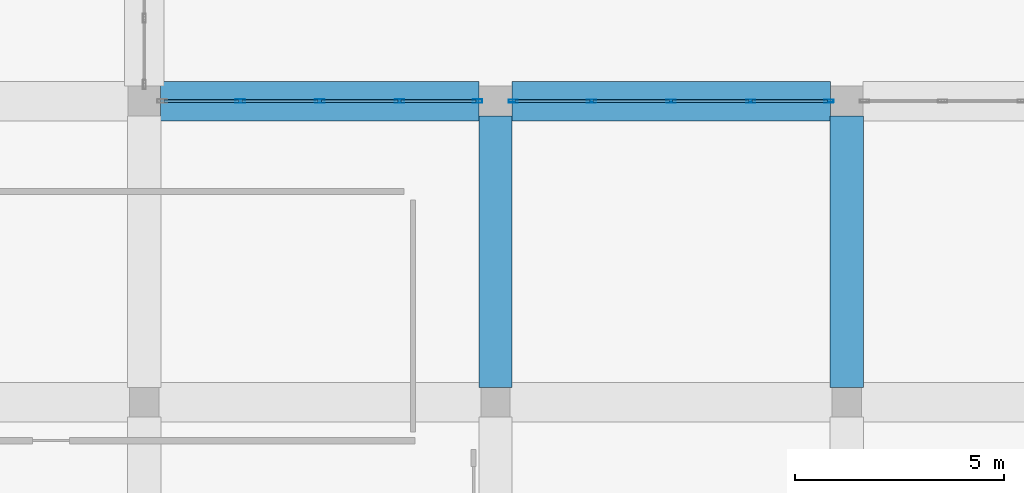
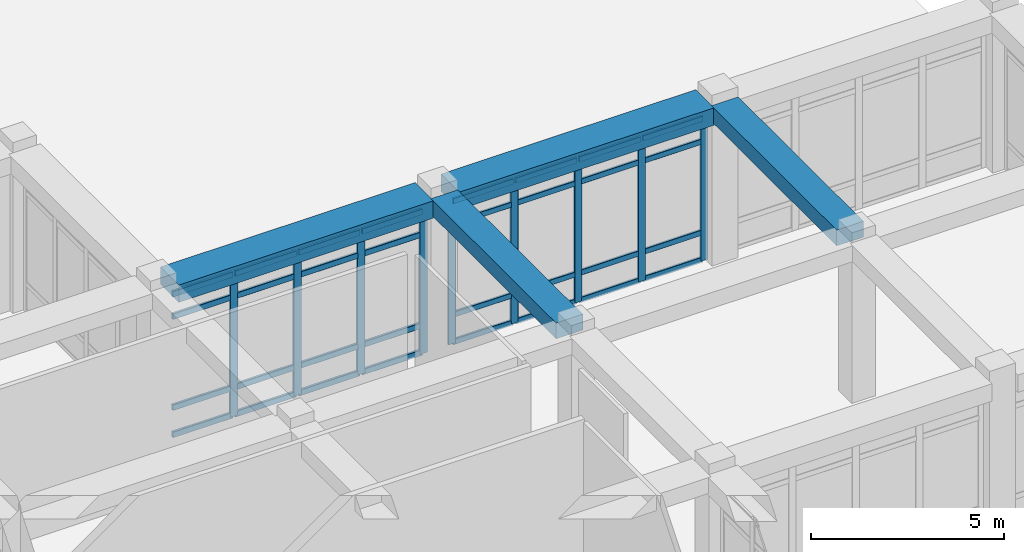
# One storey, part 48 of 84: 41 members, 4 beams, 2 elements without a shape of their own.
"""IFC4 building model written with IfcOpenShell, lengths in metres."""

from ifc_helpers import new_model, si_unit, derived_unit, direction, frame, origin, origin_2d, place, context, subcontext, project, spatial, rectangle, hollow_rectangle, extrude, material, material_profile, profile_set, type_object, element, aggregate, save


model = new_model("IFC4")

# Units and contexts
model_context = context("Model", 3, precision=1e-05, world=origin(), true_north=direction((0.0, 1.0)))
body_context = subcontext(model_context, "Body", "Model", "MODEL_VIEW")
ifc_project = project(units=[si_unit("LENGTHUNIT", "METRE"), si_unit("AREAUNIT", "SQUARE_METRE"), si_unit("VOLUMEUNIT", "CUBIC_METRE"), si_unit("PLANEANGLEUNIT", "RADIAN"), si_unit("MASSUNIT", "GRAM", prefix="KILO"), derived_unit("THERMALTRANSMITTANCEUNIT", [(si_unit("POWERUNIT", "WATT"), 1), (si_unit("LENGTHUNIT", "METRE"), -2), (si_unit("THERMODYNAMICTEMPERATUREUNIT", "KELVIN"), -1)])], contexts=[model_context])

# Site, building, storey
site_placement = place(None, origin())
site = spatial("IfcSite", under=ifc_project, at=site_placement, CompositionType="ELEMENT")
building_placement = place(site_placement, origin())
building = spatial("IfcBuilding", under=site, at=building_placement, Name="Veybourne Emporium", CompositionType="ELEMENT")
storey_placement = place(building_placement, origin())
storey = spatial("IfcBuildingStorey", under=building, at=storey_placement, Name="L00", CompositionType="ELEMENT", Elevation=0.0)

# Curtain wall, members
ifc_material_1 = material(Name="Patinated Architectural Bronze", Category="bronze")
curtain_wall_type_1 = type_object("IfcCurtainWallType", Name="CWSystem_CWS-21", PredefinedType="NOTDEFINED", material=ifc_material_1)
curtain_wall_1_placement = place(storey_placement, origin())
curtain_wall_1 = element("IfcCurtainWall", 1, at=curtain_wall_1_placement, inside=storey, type_object=curtain_wall_type_1, Name="L00 bronze glazed curtain wall CWS-21 (074)", PredefinedType="NOTDEFINED")
ifc_material_profile_1 = material_profile(ifc_material_1, hollow_rectangle(XDim=0.072021484375, YDim=0.22509765625, WallThickness=0.0048828125, InnerFilletRadius=0.007568359375, OuterFilletRadius=0.012451171875, at=origin_2d()), Name="CWM 72x225x5")
ifc_profile_set_1 = profile_set([ifc_material_profile_1], Name="Patinated Architectural Bronze")
member_type_1 = type_object("IfcMemberType", Name="CWMullion_CW-M1", PredefinedType="MULLION", material=ifc_profile_set_1)
member_1_placement = place(storey_placement, frame((151.6259765625, 21.60009765625, 0.0), z_axis=(0.0, 0.0, 1.0), x_axis=(0.0, 1.0, 0.0)))
member_1 = element("IfcMember", 2, at=member_1_placement, type_object=member_type_1, Name="CWS-21 mullion 1", PredefinedType="MULLION", context=body_context, shape_type="SweptSolid", body=[
    extrude(hollow_rectangle(XDim=0.072021484375, YDim=0.22509765625, WallThickness=0.0048828125, InnerFilletRadius=0.007568359375, OuterFilletRadius=0.012451171875, at=origin_2d()), origin(), (0.0, 0.0, 1.0), 4.530029296875),
])
member_2_placement = place(storey_placement, frame((153.4951171875, 21.60009765625, 0.0), z_axis=(0.0, 0.0, 1.0), x_axis=(0.0, 1.0, 0.0)))
member_2 = element("IfcMember", 3, at=member_2_placement, type_object=member_type_1, Name="CWS-21 mullion 2", PredefinedType="MULLION", context=body_context, shape_type="SweptSolid", body=[
    extrude(hollow_rectangle(XDim=0.072021484375, YDim=0.22509765625, WallThickness=0.0048828125, InnerFilletRadius=0.007568359375, OuterFilletRadius=0.012451171875, at=origin_2d()), origin(), (0.0, 0.0, 1.0), 4.530029296875),
])
member_3_placement = place(storey_placement, frame((155.39990234375, 21.60009765625, 0.0), z_axis=(0.0, 0.0, 1.0), x_axis=(0.0, 1.0, 0.0)))
member_3 = element("IfcMember", 4, at=member_3_placement, type_object=member_type_1, Name="CWS-21 mullion 3", PredefinedType="MULLION", context=body_context, shape_type="SweptSolid", body=[
    extrude(hollow_rectangle(XDim=0.072021484375, YDim=0.22509765625, WallThickness=0.0048828125, InnerFilletRadius=0.007568359375, OuterFilletRadius=0.012451171875, at=origin_2d()), origin(), (0.0, 0.0, 1.0), 4.530029296875),
])
member_4_placement = place(storey_placement, frame((157.304931640625, 21.60009765625, 0.0), z_axis=(0.0, 0.0, 1.0), x_axis=(0.0, 1.0, 0.0)))
member_4 = element("IfcMember", 5, at=member_4_placement, type_object=member_type_1, Name="CWS-21 mullion 4", PredefinedType="MULLION", context=body_context, shape_type="SweptSolid", body=[
    extrude(hollow_rectangle(XDim=0.072021484375, YDim=0.22509765625, WallThickness=0.0048828125, InnerFilletRadius=0.007568359375, OuterFilletRadius=0.012451171875, at=origin_2d()), origin(), (0.0, 0.0, 1.0), 4.530029296875),
])
member_5_placement = place(storey_placement, frame((159.174072265625, 21.60009765625, 0.0), z_axis=(0.0, 0.0, 1.0), x_axis=(0.0, 1.0, 0.0)))
member_5 = element("IfcMember", 6, at=member_5_placement, type_object=member_type_1, Name="CWS-21 mullion 5", PredefinedType="MULLION", context=body_context, shape_type="SweptSolid", body=[
    extrude(hollow_rectangle(XDim=0.072021484375, YDim=0.22509765625, WallThickness=0.0048828125, InnerFilletRadius=0.007568359375, OuterFilletRadius=0.012451171875, at=origin_2d()), origin(), (0.0, 0.0, 1.0), 4.530029296875),
])

curtain_wall_type_2 = type_object("IfcCurtainWallType", Name="CWSystem_CWS-19", PredefinedType="NOTDEFINED", material=ifc_material_1)
curtain_wall_2_placement = place(storey_placement, origin())
curtain_wall_2 = element("IfcCurtainWall", 7, at=curtain_wall_2_placement, inside=storey, type_object=curtain_wall_type_2, Name="L00 bronze glazed curtain wall CWS-19 (072)", PredefinedType="NOTDEFINED")
ifc_material_profile_2 = material_profile(ifc_material_1, hollow_rectangle(XDim=0.077880859375, YDim=0.235107421875, WallThickness=0.0048828125, InnerFilletRadius=0.007568359375, OuterFilletRadius=0.012451171875, at=origin_2d()), Name="CWM 78x235x5")
ifc_profile_set_2 = profile_set([ifc_material_profile_2], Name="Patinated Architectural Bronze")
member_type_2 = type_object("IfcMemberType", Name="CWMullion_CW-M3", PredefinedType="MULLION", material=ifc_profile_set_2)
member_6_placement = place(storey_placement, frame((145.094970703125, 21.60009765625, 0.0), z_axis=(0.0, 0.0, 1.0), x_axis=(0.0, 1.0, 0.0)))
member_6 = element("IfcMember", 8, at=member_6_placement, type_object=member_type_2, Name="CWS-19 mullion 2", PredefinedType="MULLION", context=body_context, shape_type="SweptSolid", body=[
    extrude(hollow_rectangle(XDim=0.077880859375, YDim=0.235107421875, WallThickness=0.0048828125, InnerFilletRadius=0.007568359375, OuterFilletRadius=0.012451171875, at=origin_2d()), origin(), (0.0, 0.0, 1.0), 4.530029296875),
])
member_7_placement = place(storey_placement, frame((147.0, 21.60009765625, 0.0), z_axis=(0.0, 0.0, 1.0), x_axis=(0.0, 1.0, 0.0)))
member_7 = element("IfcMember", 9, at=member_7_placement, type_object=member_type_2, Name="CWS-19 mullion 3", PredefinedType="MULLION", context=body_context, shape_type="SweptSolid", body=[
    extrude(hollow_rectangle(XDim=0.077880859375, YDim=0.235107421875, WallThickness=0.0048828125, InnerFilletRadius=0.007568359375, OuterFilletRadius=0.012451171875, at=origin_2d()), origin(), (0.0, 0.0, 1.0), 4.530029296875),
])
member_8_placement = place(storey_placement, frame((148.905029296875, 21.60009765625, 0.0), z_axis=(0.0, 0.0, 1.0), x_axis=(0.0, 1.0, 0.0)))
member_8 = element("IfcMember", 10, at=member_8_placement, type_object=member_type_2, Name="CWS-19 mullion 4", PredefinedType="MULLION", context=body_context, shape_type="SweptSolid", body=[
    extrude(hollow_rectangle(XDim=0.077880859375, YDim=0.235107421875, WallThickness=0.0048828125, InnerFilletRadius=0.007568359375, OuterFilletRadius=0.012451171875, at=origin_2d()), origin(), (0.0, 0.0, 1.0), 4.530029296875),
])
member_9_placement = place(storey_placement, frame((150.77099609375, 21.60009765625, 0.0), z_axis=(0.0, 0.0, 1.0), x_axis=(0.0, 1.0, 0.0)))
member_9 = element("IfcMember", 11, at=member_9_placement, type_object=member_type_2, Name="CWS-19 mullion 5", PredefinedType="MULLION", context=body_context, shape_type="SweptSolid", body=[
    extrude(hollow_rectangle(XDim=0.077880859375, YDim=0.235107421875, WallThickness=0.0048828125, InnerFilletRadius=0.007568359375, OuterFilletRadius=0.012451171875, at=origin_2d()), origin(), (0.0, 0.0, 1.0), 4.530029296875),
])

# Member
ifc_material_profile_3 = material_profile(ifc_material_1, hollow_rectangle(XDim=0.072021484375, YDim=0.175048828125, WallThickness=0.0048828125, InnerFilletRadius=0.007568359375, OuterFilletRadius=0.012451171875, at=origin_2d()), Name="CWT 72x175x5")
ifc_profile_set_3 = profile_set([ifc_material_profile_3], Name="Patinated Architectural Bronze")
member_type_3 = type_object("IfcMemberType", Name="CWTransom_CW-T1", PredefinedType="NOTDEFINED", material=ifc_profile_set_3)
member_10_placement = place(storey_placement, frame((151.662109375, 21.60009765625, 0.035888671875), z_axis=(1.0, 0.0, 0.0), x_axis=(0.0, 1.0, 0.0)))
member_10 = element("IfcMember", 12, at=member_10_placement, type_object=member_type_3, Name="CWS-21 transom 1.1", ObjectType="TRANSOM", PredefinedType="USERDEFINED", context=body_context, shape_type="SweptSolid", body=[
    extrude(hollow_rectangle(XDim=0.072021484375, YDim=0.175048828125, WallThickness=0.0048828125, InnerFilletRadius=0.007568359375, OuterFilletRadius=0.012451171875, at=origin_2d()), origin(), (0.0, 0.0, 1.0), 1.796875),
])

member_11_placement = place(storey_placement, frame((151.662109375, 21.60009765625, 0.89990234375), z_axis=(1.0, 0.0, 0.0), x_axis=(0.0, 1.0, 0.0)))
member_11 = element("IfcMember", 13, at=member_11_placement, type_object=member_type_3, Name="CWS-21 transom 1.2", ObjectType="TRANSOM", PredefinedType="USERDEFINED", context=body_context, shape_type="SweptSolid", body=[
    extrude(hollow_rectangle(XDim=0.072021484375, YDim=0.175048828125, WallThickness=0.0048828125, InnerFilletRadius=0.007568359375, OuterFilletRadius=0.012451171875, at=origin_2d()), origin(), (0.0, 0.0, 1.0), 1.796875),
])

member_12_placement = place(storey_placement, frame((151.662109375, 21.60009765625, 3.780029296875), z_axis=(1.0, 0.0, 0.0), x_axis=(0.0, 1.0, 0.0)))
member_12 = element("IfcMember", 14, at=member_12_placement, type_object=member_type_3, Name="CWS-21 transom 1.3", ObjectType="TRANSOM", PredefinedType="USERDEFINED", context=body_context, shape_type="SweptSolid", body=[
    extrude(hollow_rectangle(XDim=0.072021484375, YDim=0.175048828125, WallThickness=0.0048828125, InnerFilletRadius=0.007568359375, OuterFilletRadius=0.012451171875, at=origin_2d()), origin(), (0.0, 0.0, 1.0), 1.796875),
])

member_13_placement = place(storey_placement, frame((151.662109375, 21.60009765625, 4.493896484375), z_axis=(1.0, 0.0, 0.0), x_axis=(0.0, 1.0, 0.0)))
member_13 = element("IfcMember", 15, at=member_13_placement, type_object=member_type_3, Name="CWS-21 transom 1.4", ObjectType="TRANSOM", PredefinedType="USERDEFINED", context=body_context, shape_type="SweptSolid", body=[
    extrude(hollow_rectangle(XDim=0.072021484375, YDim=0.175048828125, WallThickness=0.0048828125, InnerFilletRadius=0.007568359375, OuterFilletRadius=0.012451171875, at=origin_2d()), origin(), (0.0, 0.0, 1.0), 1.796875),
])

member_14_placement = place(storey_placement, frame((153.531005859375, 21.60009765625, 0.035888671875), z_axis=(1.0, 0.0, 0.0), x_axis=(0.0, 1.0, 0.0)))
member_14 = element("IfcMember", 16, at=member_14_placement, type_object=member_type_3, Name="CWS-21 transom 2.1", ObjectType="TRANSOM", PredefinedType="USERDEFINED", context=body_context, shape_type="SweptSolid", body=[
    extrude(hollow_rectangle(XDim=0.072021484375, YDim=0.175048828125, WallThickness=0.0048828125, InnerFilletRadius=0.007568359375, OuterFilletRadius=0.012451171875, at=origin_2d()), origin(), (0.0, 0.0, 1.0), 1.8330078125),
])

member_15_placement = place(storey_placement, frame((153.531005859375, 21.60009765625, 0.89990234375), z_axis=(1.0, 0.0, 0.0), x_axis=(0.0, 1.0, 0.0)))
member_15 = element("IfcMember", 17, at=member_15_placement, type_object=member_type_3, Name="CWS-21 transom 2.2", ObjectType="TRANSOM", PredefinedType="USERDEFINED", context=body_context, shape_type="SweptSolid", body=[
    extrude(hollow_rectangle(XDim=0.072021484375, YDim=0.175048828125, WallThickness=0.0048828125, InnerFilletRadius=0.007568359375, OuterFilletRadius=0.012451171875, at=origin_2d()), origin(), (0.0, 0.0, 1.0), 1.8330078125),
])

member_16_placement = place(storey_placement, frame((153.531005859375, 21.60009765625, 3.780029296875), z_axis=(1.0, 0.0, 0.0), x_axis=(0.0, 1.0, 0.0)))
member_16 = element("IfcMember", 18, at=member_16_placement, type_object=member_type_3, Name="CWS-21 transom 2.3", ObjectType="TRANSOM", PredefinedType="USERDEFINED", context=body_context, shape_type="SweptSolid", body=[
    extrude(hollow_rectangle(XDim=0.072021484375, YDim=0.175048828125, WallThickness=0.0048828125, InnerFilletRadius=0.007568359375, OuterFilletRadius=0.012451171875, at=origin_2d()), origin(), (0.0, 0.0, 1.0), 1.8330078125),
])

member_17_placement = place(storey_placement, frame((153.531005859375, 21.60009765625, 4.493896484375), z_axis=(1.0, 0.0, 0.0), x_axis=(0.0, 1.0, 0.0)))
member_17 = element("IfcMember", 19, at=member_17_placement, type_object=member_type_3, Name="CWS-21 transom 2.4", ObjectType="TRANSOM", PredefinedType="USERDEFINED", context=body_context, shape_type="SweptSolid", body=[
    extrude(hollow_rectangle(XDim=0.072021484375, YDim=0.175048828125, WallThickness=0.0048828125, InnerFilletRadius=0.007568359375, OuterFilletRadius=0.012451171875, at=origin_2d()), origin(), (0.0, 0.0, 1.0), 1.8330078125),
])

member_18_placement = place(storey_placement, frame((155.43603515625, 21.60009765625, 0.035888671875), z_axis=(1.0, 0.0, 0.0), x_axis=(0.0, 1.0, 0.0)))
member_18 = element("IfcMember", 20, at=member_18_placement, type_object=member_type_3, Name="CWS-21 transom 3.1", ObjectType="TRANSOM", PredefinedType="USERDEFINED", context=body_context, shape_type="SweptSolid", body=[
    extrude(hollow_rectangle(XDim=0.072021484375, YDim=0.175048828125, WallThickness=0.0048828125, InnerFilletRadius=0.007568359375, OuterFilletRadius=0.012451171875, at=origin_2d()), origin(), (0.0, 0.0, 1.0), 1.8330078125),
])

member_19_placement = place(storey_placement, frame((155.43603515625, 21.60009765625, 0.89990234375), z_axis=(1.0, 0.0, 0.0), x_axis=(0.0, 1.0, 0.0)))
member_19 = element("IfcMember", 21, at=member_19_placement, type_object=member_type_3, Name="CWS-21 transom 3.2", ObjectType="TRANSOM", PredefinedType="USERDEFINED", context=body_context, shape_type="SweptSolid", body=[
    extrude(hollow_rectangle(XDim=0.072021484375, YDim=0.175048828125, WallThickness=0.0048828125, InnerFilletRadius=0.007568359375, OuterFilletRadius=0.012451171875, at=origin_2d()), origin(), (0.0, 0.0, 1.0), 1.8330078125),
])

member_20_placement = place(storey_placement, frame((155.43603515625, 21.60009765625, 3.780029296875), z_axis=(1.0, 0.0, 0.0), x_axis=(0.0, 1.0, 0.0)))
member_20 = element("IfcMember", 22, at=member_20_placement, type_object=member_type_3, Name="CWS-21 transom 3.3", ObjectType="TRANSOM", PredefinedType="USERDEFINED", context=body_context, shape_type="SweptSolid", body=[
    extrude(hollow_rectangle(XDim=0.072021484375, YDim=0.175048828125, WallThickness=0.0048828125, InnerFilletRadius=0.007568359375, OuterFilletRadius=0.012451171875, at=origin_2d()), origin(), (0.0, 0.0, 1.0), 1.8330078125),
])

member_21_placement = place(storey_placement, frame((155.43603515625, 21.60009765625, 4.493896484375), z_axis=(1.0, 0.0, 0.0), x_axis=(0.0, 1.0, 0.0)))
member_21 = element("IfcMember", 23, at=member_21_placement, type_object=member_type_3, Name="CWS-21 transom 3.4", ObjectType="TRANSOM", PredefinedType="USERDEFINED", context=body_context, shape_type="SweptSolid", body=[
    extrude(hollow_rectangle(XDim=0.072021484375, YDim=0.175048828125, WallThickness=0.0048828125, InnerFilletRadius=0.007568359375, OuterFilletRadius=0.012451171875, at=origin_2d()), origin(), (0.0, 0.0, 1.0), 1.8330078125),
])

member_22_placement = place(storey_placement, frame((157.341064453125, 21.60009765625, 0.035888671875), z_axis=(1.0, 0.0, 0.0), x_axis=(0.0, 1.0, 0.0)))
member_22 = element("IfcMember", 24, at=member_22_placement, type_object=member_type_3, Name="CWS-21 transom 4.1", ObjectType="TRANSOM", PredefinedType="USERDEFINED", context=body_context, shape_type="SweptSolid", body=[
    extrude(hollow_rectangle(XDim=0.072021484375, YDim=0.175048828125, WallThickness=0.0048828125, InnerFilletRadius=0.007568359375, OuterFilletRadius=0.012451171875, at=origin_2d()), origin(), (0.0, 0.0, 1.0), 1.796875),
])

member_23_placement = place(storey_placement, frame((157.341064453125, 21.60009765625, 0.89990234375), z_axis=(1.0, 0.0, 0.0), x_axis=(0.0, 1.0, 0.0)))
member_23 = element("IfcMember", 25, at=member_23_placement, type_object=member_type_3, Name="CWS-21 transom 4.2", ObjectType="TRANSOM", PredefinedType="USERDEFINED", context=body_context, shape_type="SweptSolid", body=[
    extrude(hollow_rectangle(XDim=0.072021484375, YDim=0.175048828125, WallThickness=0.0048828125, InnerFilletRadius=0.007568359375, OuterFilletRadius=0.012451171875, at=origin_2d()), origin(), (0.0, 0.0, 1.0), 1.796875),
])

member_24_placement = place(storey_placement, frame((157.341064453125, 21.60009765625, 3.780029296875), z_axis=(1.0, 0.0, 0.0), x_axis=(0.0, 1.0, 0.0)))
member_24 = element("IfcMember", 26, at=member_24_placement, type_object=member_type_3, Name="CWS-21 transom 4.3", ObjectType="TRANSOM", PredefinedType="USERDEFINED", context=body_context, shape_type="SweptSolid", body=[
    extrude(hollow_rectangle(XDim=0.072021484375, YDim=0.175048828125, WallThickness=0.0048828125, InnerFilletRadius=0.007568359375, OuterFilletRadius=0.012451171875, at=origin_2d()), origin(), (0.0, 0.0, 1.0), 1.796875),
])

member_25_placement = place(storey_placement, frame((157.341064453125, 21.60009765625, 4.493896484375), z_axis=(1.0, 0.0, 0.0), x_axis=(0.0, 1.0, 0.0)))
member_25 = element("IfcMember", 27, at=member_25_placement, type_object=member_type_3, Name="CWS-21 transom 4.4", ObjectType="TRANSOM", PredefinedType="USERDEFINED", context=body_context, shape_type="SweptSolid", body=[
    extrude(hollow_rectangle(XDim=0.072021484375, YDim=0.175048828125, WallThickness=0.0048828125, InnerFilletRadius=0.007568359375, OuterFilletRadius=0.012451171875, at=origin_2d()), origin(), (0.0, 0.0, 1.0), 1.796875),
])

aggregate(curtain_wall_1, [member_1, member_2, member_3, member_4, member_5, member_10, member_11, member_12, member_13, member_14, member_15, member_16, member_17, member_18, member_19, member_20, member_21, member_22, member_23, member_24, member_25])

ifc_material_profile_4 = material_profile(ifc_material_1, hollow_rectangle(XDim=0.077880859375, YDim=0.18505859375, WallThickness=0.0048828125, InnerFilletRadius=0.007568359375, OuterFilletRadius=0.012451171875, at=origin_2d()), Name="CWT 78x185x5")
ifc_profile_set_4 = profile_set([ifc_material_profile_4], Name="Patinated Architectural Bronze")
member_type_4 = type_object("IfcMemberType", Name="CWTransom_CW-T3", PredefinedType="NOTDEFINED", material=ifc_profile_set_4)
member_26_placement = place(storey_placement, frame((143.26806640625, 21.60009765625, 0.0390625), z_axis=(1.0, 0.0, 0.0), x_axis=(0.0, 1.0, 0.0)))
member_26 = element("IfcMember", 28, at=member_26_placement, type_object=member_type_4, Name="CWS-19 transom 1.1", ObjectType="TRANSOM", PredefinedType="USERDEFINED", context=body_context, shape_type="SweptSolid", body=[
    extrude(hollow_rectangle(XDim=0.077880859375, YDim=0.18505859375, WallThickness=0.0048828125, InnerFilletRadius=0.007568359375, OuterFilletRadius=0.012451171875, at=origin_2d()), origin(), (0.0, 0.0, 1.0), 1.787841796875),
])

member_27_placement = place(storey_placement, frame((143.26806640625, 21.60009765625, 0.89990234375), z_axis=(1.0, 0.0, 0.0), x_axis=(0.0, 1.0, 0.0)))
member_27 = element("IfcMember", 29, at=member_27_placement, type_object=member_type_4, Name="CWS-19 transom 1.2", ObjectType="TRANSOM", PredefinedType="USERDEFINED", context=body_context, shape_type="SweptSolid", body=[
    extrude(hollow_rectangle(XDim=0.077880859375, YDim=0.18505859375, WallThickness=0.0048828125, InnerFilletRadius=0.007568359375, OuterFilletRadius=0.012451171875, at=origin_2d()), origin(), (0.0, 0.0, 1.0), 1.787841796875),
])

member_28_placement = place(storey_placement, frame((143.26806640625, 21.60009765625, 3.780029296875), z_axis=(1.0, 0.0, 0.0), x_axis=(0.0, 1.0, 0.0)))
member_28 = element("IfcMember", 30, at=member_28_placement, type_object=member_type_4, Name="CWS-19 transom 1.3", ObjectType="TRANSOM", PredefinedType="USERDEFINED", context=body_context, shape_type="SweptSolid", body=[
    extrude(hollow_rectangle(XDim=0.077880859375, YDim=0.18505859375, WallThickness=0.0048828125, InnerFilletRadius=0.007568359375, OuterFilletRadius=0.012451171875, at=origin_2d()), origin(), (0.0, 0.0, 1.0), 1.787841796875),
])

member_29_placement = place(storey_placement, frame((143.26806640625, 21.60009765625, 4.490966796875), z_axis=(1.0, 0.0, 0.0), x_axis=(0.0, 1.0, 0.0)))
member_29 = element("IfcMember", 31, at=member_29_placement, type_object=member_type_4, Name="CWS-19 transom 1.4", ObjectType="TRANSOM", PredefinedType="USERDEFINED", context=body_context, shape_type="SweptSolid", body=[
    extrude(hollow_rectangle(XDim=0.077880859375, YDim=0.18505859375, WallThickness=0.0048828125, InnerFilletRadius=0.007568359375, OuterFilletRadius=0.012451171875, at=origin_2d()), origin(), (0.0, 0.0, 1.0), 1.787841796875),
])

member_30_placement = place(storey_placement, frame((145.134033203125, 21.60009765625, 0.0390625), z_axis=(1.0, 0.0, 0.0), x_axis=(0.0, 1.0, 0.0)))
member_30 = element("IfcMember", 32, at=member_30_placement, type_object=member_type_4, Name="CWS-19 transom 2.1", ObjectType="TRANSOM", PredefinedType="USERDEFINED", context=body_context, shape_type="SweptSolid", body=[
    extrude(hollow_rectangle(XDim=0.077880859375, YDim=0.18505859375, WallThickness=0.0048828125, InnerFilletRadius=0.007568359375, OuterFilletRadius=0.012451171875, at=origin_2d()), origin(), (0.0, 0.0, 1.0), 1.826904296875),
])

member_31_placement = place(storey_placement, frame((145.134033203125, 21.60009765625, 0.89990234375), z_axis=(1.0, 0.0, 0.0), x_axis=(0.0, 1.0, 0.0)))
member_31 = element("IfcMember", 33, at=member_31_placement, type_object=member_type_4, Name="CWS-19 transom 2.2", ObjectType="TRANSOM", PredefinedType="USERDEFINED", context=body_context, shape_type="SweptSolid", body=[
    extrude(hollow_rectangle(XDim=0.077880859375, YDim=0.18505859375, WallThickness=0.0048828125, InnerFilletRadius=0.007568359375, OuterFilletRadius=0.012451171875, at=origin_2d()), origin(), (0.0, 0.0, 1.0), 1.826904296875),
])

member_32_placement = place(storey_placement, frame((145.134033203125, 21.60009765625, 3.780029296875), z_axis=(1.0, 0.0, 0.0), x_axis=(0.0, 1.0, 0.0)))
member_32 = element("IfcMember", 34, at=member_32_placement, type_object=member_type_4, Name="CWS-19 transom 2.3", ObjectType="TRANSOM", PredefinedType="USERDEFINED", context=body_context, shape_type="SweptSolid", body=[
    extrude(hollow_rectangle(XDim=0.077880859375, YDim=0.18505859375, WallThickness=0.0048828125, InnerFilletRadius=0.007568359375, OuterFilletRadius=0.012451171875, at=origin_2d()), origin(), (0.0, 0.0, 1.0), 1.826904296875),
])

member_33_placement = place(storey_placement, frame((145.134033203125, 21.60009765625, 4.490966796875), z_axis=(1.0, 0.0, 0.0), x_axis=(0.0, 1.0, 0.0)))
member_33 = element("IfcMember", 35, at=member_33_placement, type_object=member_type_4, Name="CWS-19 transom 2.4", ObjectType="TRANSOM", PredefinedType="USERDEFINED", context=body_context, shape_type="SweptSolid", body=[
    extrude(hollow_rectangle(XDim=0.077880859375, YDim=0.18505859375, WallThickness=0.0048828125, InnerFilletRadius=0.007568359375, OuterFilletRadius=0.012451171875, at=origin_2d()), origin(), (0.0, 0.0, 1.0), 1.826904296875),
])

member_34_placement = place(storey_placement, frame((147.0390625, 21.60009765625, 0.0390625), z_axis=(1.0, 0.0, 0.0), x_axis=(0.0, 1.0, 0.0)))
member_34 = element("IfcMember", 36, at=member_34_placement, type_object=member_type_4, Name="CWS-19 transom 3.1", ObjectType="TRANSOM", PredefinedType="USERDEFINED", context=body_context, shape_type="SweptSolid", body=[
    extrude(hollow_rectangle(XDim=0.077880859375, YDim=0.18505859375, WallThickness=0.0048828125, InnerFilletRadius=0.007568359375, OuterFilletRadius=0.012451171875, at=origin_2d()), origin(), (0.0, 0.0, 1.0), 1.826904296875),
])

member_35_placement = place(storey_placement, frame((147.0390625, 21.60009765625, 0.89990234375), z_axis=(1.0, 0.0, 0.0), x_axis=(0.0, 1.0, 0.0)))
member_35 = element("IfcMember", 37, at=member_35_placement, type_object=member_type_4, Name="CWS-19 transom 3.2", ObjectType="TRANSOM", PredefinedType="USERDEFINED", context=body_context, shape_type="SweptSolid", body=[
    extrude(hollow_rectangle(XDim=0.077880859375, YDim=0.18505859375, WallThickness=0.0048828125, InnerFilletRadius=0.007568359375, OuterFilletRadius=0.012451171875, at=origin_2d()), origin(), (0.0, 0.0, 1.0), 1.826904296875),
])

member_36_placement = place(storey_placement, frame((147.0390625, 21.60009765625, 3.780029296875), z_axis=(1.0, 0.0, 0.0), x_axis=(0.0, 1.0, 0.0)))
member_36 = element("IfcMember", 38, at=member_36_placement, type_object=member_type_4, Name="CWS-19 transom 3.3", ObjectType="TRANSOM", PredefinedType="USERDEFINED", context=body_context, shape_type="SweptSolid", body=[
    extrude(hollow_rectangle(XDim=0.077880859375, YDim=0.18505859375, WallThickness=0.0048828125, InnerFilletRadius=0.007568359375, OuterFilletRadius=0.012451171875, at=origin_2d()), origin(), (0.0, 0.0, 1.0), 1.826904296875),
])

member_37_placement = place(storey_placement, frame((147.0390625, 21.60009765625, 4.490966796875), z_axis=(1.0, 0.0, 0.0), x_axis=(0.0, 1.0, 0.0)))
member_37 = element("IfcMember", 39, at=member_37_placement, type_object=member_type_4, Name="CWS-19 transom 3.4", ObjectType="TRANSOM", PredefinedType="USERDEFINED", context=body_context, shape_type="SweptSolid", body=[
    extrude(hollow_rectangle(XDim=0.077880859375, YDim=0.18505859375, WallThickness=0.0048828125, InnerFilletRadius=0.007568359375, OuterFilletRadius=0.012451171875, at=origin_2d()), origin(), (0.0, 0.0, 1.0), 1.826904296875),
])

member_38_placement = place(storey_placement, frame((148.944091796875, 21.60009765625, 0.0390625), z_axis=(1.0, 0.0, 0.0), x_axis=(0.0, 1.0, 0.0)))
member_38 = element("IfcMember", 40, at=member_38_placement, type_object=member_type_4, Name="CWS-19 transom 4.1", ObjectType="TRANSOM", PredefinedType="USERDEFINED", context=body_context, shape_type="SweptSolid", body=[
    extrude(hollow_rectangle(XDim=0.077880859375, YDim=0.18505859375, WallThickness=0.0048828125, InnerFilletRadius=0.007568359375, OuterFilletRadius=0.012451171875, at=origin_2d()), origin(), (0.0, 0.0, 1.0), 1.787841796875),
])

member_39_placement = place(storey_placement, frame((148.944091796875, 21.60009765625, 0.89990234375), z_axis=(1.0, 0.0, 0.0), x_axis=(0.0, 1.0, 0.0)))
member_39 = element("IfcMember", 41, at=member_39_placement, type_object=member_type_4, Name="CWS-19 transom 4.2", ObjectType="TRANSOM", PredefinedType="USERDEFINED", context=body_context, shape_type="SweptSolid", body=[
    extrude(hollow_rectangle(XDim=0.077880859375, YDim=0.18505859375, WallThickness=0.0048828125, InnerFilletRadius=0.007568359375, OuterFilletRadius=0.012451171875, at=origin_2d()), origin(), (0.0, 0.0, 1.0), 1.787841796875),
])

member_40_placement = place(storey_placement, frame((148.944091796875, 21.60009765625, 3.780029296875), z_axis=(1.0, 0.0, 0.0), x_axis=(0.0, 1.0, 0.0)))
member_40 = element("IfcMember", 42, at=member_40_placement, type_object=member_type_4, Name="CWS-19 transom 4.3", ObjectType="TRANSOM", PredefinedType="USERDEFINED", context=body_context, shape_type="SweptSolid", body=[
    extrude(hollow_rectangle(XDim=0.077880859375, YDim=0.18505859375, WallThickness=0.0048828125, InnerFilletRadius=0.007568359375, OuterFilletRadius=0.012451171875, at=origin_2d()), origin(), (0.0, 0.0, 1.0), 1.787841796875),
])

member_41_placement = place(storey_placement, frame((148.944091796875, 21.60009765625, 4.490966796875), z_axis=(1.0, 0.0, 0.0), x_axis=(0.0, 1.0, 0.0)))
member_41 = element("IfcMember", 43, at=member_41_placement, type_object=member_type_4, Name="CWS-19 transom 4.4", ObjectType="TRANSOM", PredefinedType="USERDEFINED", context=body_context, shape_type="SweptSolid", body=[
    extrude(hollow_rectangle(XDim=0.077880859375, YDim=0.18505859375, WallThickness=0.0048828125, InnerFilletRadius=0.007568359375, OuterFilletRadius=0.012451171875, at=origin_2d()), origin(), (0.0, 0.0, 1.0), 1.787841796875),
])

aggregate(curtain_wall_2, [member_6, member_7, member_8, member_9, member_26, member_27, member_28, member_29, member_30, member_31, member_32, member_33, member_34, member_35, member_36, member_37, member_38, member_39, member_40, member_41])

# Beams
ifc_material_2 = material(Name="Concrete C32/40", Category="concrete")
ifc_material_profile_5 = material_profile(ifc_material_2, rectangle(XDim=0.800048828125, YDim=0.5, at=origin_2d()), Name="RC 800x500")
ifc_profile_set_5 = profile_set([ifc_material_profile_5], Name="Concrete C32/40")
beam_type_1 = type_object("IfcBeamType", Name="RCBeam_BB-02", PredefinedType="BEAM", material=ifc_profile_set_5)
for number, where, z_axis, x_axis, name in (
    (44, (151.199951171875, 14.75, 4.830078125), (0.0, 1.0, 0.0), (-1.0, 0.0, 0.0), "L00 Y-grid beam BB-02 (18,2)"),
    (45, (159.60009765625, 14.75, 4.830078125), (0.0, 1.0, 0.0), (-1.0, 0.0, 0.0), "L00 Y-grid beam BB-02 (19,2)"),
):
    element("IfcBeam", number, at=place(storey_placement, frame(where, z_axis=z_axis, x_axis=x_axis)), inside=storey, type_object=beam_type_1, Name=name, PredefinedType="BEAM", context=body_context, shape_type="SweptSolid", body=[
        extrude(rectangle(XDim=0.800048828125, YDim=0.5, at=origin_2d()), origin(), (0.0, 0.0, 1.0), 6.489990234375),
    ])
ifc_material_profile_6 = material_profile(ifc_material_2, rectangle(XDim=0.949951171875, YDim=0.550048828125, at=origin_2d()), Name="RC 950x550")
ifc_profile_set_6 = profile_set([ifc_material_profile_6], Name="Concrete C32/40")
beam_type_2 = type_object("IfcBeamType", Name="RCBeam_EB-01", PredefinedType="SPANDREL", material=ifc_profile_set_6)
beam_1_placement = place(storey_placement, frame((143.18994140625, 21.60009765625, 4.804931640625), z_axis=(1.0, 0.0, 0.0), x_axis=(0.0, 1.0, 0.0)))
element("IfcBeam", 46, at=beam_1_placement, inside=storey, type_object=beam_type_2, Name="L00 X-grid beam EB-01 (17,3)", PredefinedType="SPANDREL", context=body_context, shape_type="SweptSolid", body=[
    extrude(rectangle(XDim=0.949951171875, YDim=0.550048828125, at=origin_2d()), origin(), (0.0, 0.0, 1.0), 7.6201171875),
])
beam_2_placement = place(storey_placement, frame((151.590087890625, 21.60009765625, 4.804931640625), z_axis=(1.0, 0.0, 0.0), x_axis=(0.0, 1.0, 0.0)))
element("IfcBeam", 47, at=beam_2_placement, inside=storey, type_object=beam_type_2, Name="L00 X-grid beam EB-01 (18,3)", PredefinedType="SPANDREL", context=body_context, shape_type="SweptSolid", body=[
    extrude(rectangle(XDim=0.949951171875, YDim=0.550048828125, at=origin_2d()), origin(), (0.0, 0.0, 1.0), 7.619873046875),
])

save(model, "model.ifc")
